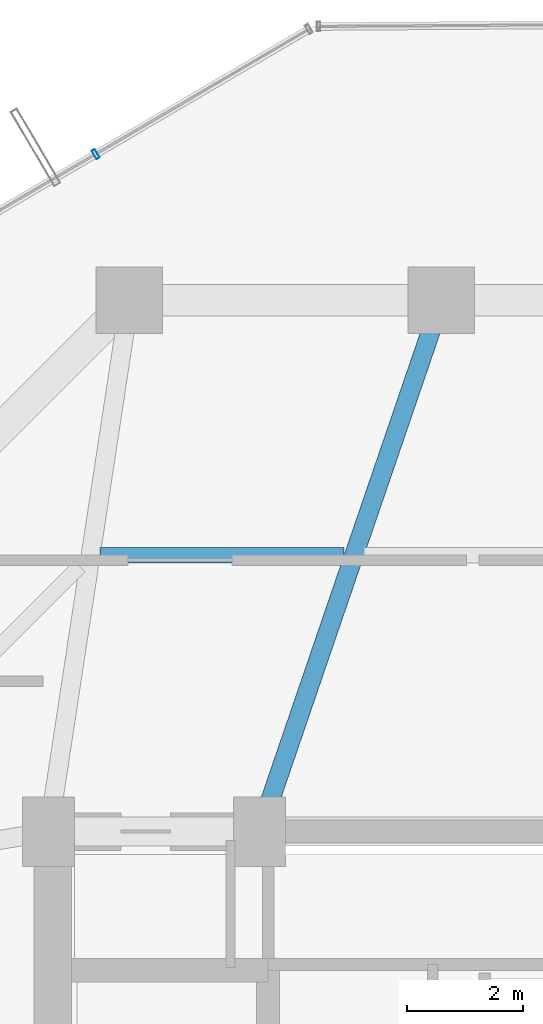
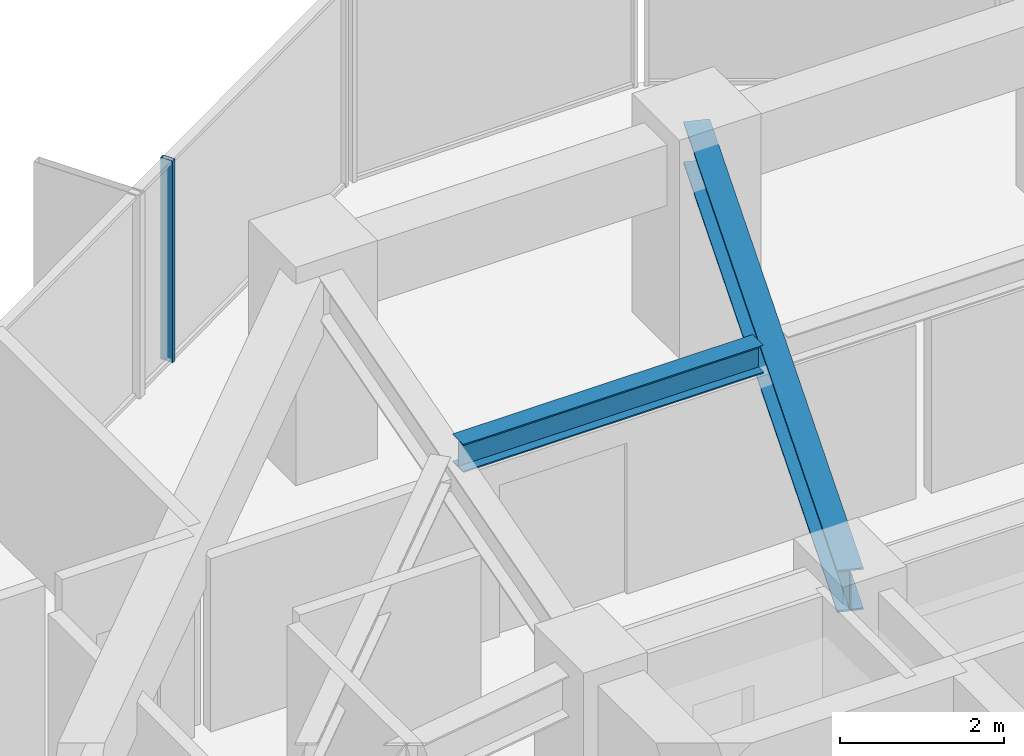
# One storey, part 19 of 30: 2 beams, 1 member, 1 element without a shape of its own.
"""IFC4 building model written with IfcOpenShell, lengths in metres."""

from ifc_helpers import new_model, si_unit, direction, frame, origin, origin_2d, place, context, subcontext, project, spatial, hollow_rectangle, i_section, extrude, source, transform, mapped, material, layer, layer_set, material_profile, profile_set, type_object, element, aggregate, save


model = new_model("IFC4")

# Units and contexts
model_context = context("Model", 3, precision=1e-05, world=origin(), true_north=direction((0.0, 1.0)))
body_context = subcontext(model_context, "Body", "Model", "MODEL_VIEW")
ifc_project = project(units=[si_unit("LENGTHUNIT", "METRE"), si_unit("AREAUNIT", "SQUARE_METRE"), si_unit("VOLUMEUNIT", "CUBIC_METRE"), si_unit("PLANEANGLEUNIT", "RADIAN"), si_unit("MASSUNIT", "GRAM", prefix="KILO")], contexts=[model_context])

# Site, building, storey
site_placement = place(None, origin())
site = spatial("IfcSite", under=ifc_project, at=site_placement, CompositionType="ELEMENT")
building_placement = place(site_placement, origin())
building = spatial("IfcBuilding", under=site, at=building_placement, Name="Veraguas Prism Commons", CompositionType="ELEMENT")
storey_placement = place(building_placement, frame((0.0, 0.0, 129.5)))
storey = spatial("IfcBuildingStorey", under=building, at=storey_placement, Name="L36", CompositionType="ELEMENT", Elevation=129.5)

# Beams
ifc_material_1 = material(Name="Steel ASTM A992 Grade 50", Category="steel")
ifc_material_profile_1 = material_profile(ifc_material_1, i_section(OverallWidth=0.260986328125, OverallDepth=0.419921875, WebThickness=0.01171875, FlangeThickness=0.019287109375, at=origin_2d()), Name="W410X114")
ifc_profile_set_1 = profile_set([ifc_material_profile_1], Name="Steel ASTM A992 Grade 50")
beam_type_1 = type_object("IfcBeamType", Name="Lower Floor Joist W410x114", PredefinedType="JOIST", material=ifc_profile_set_1)
beam_1_placement = place(storey_placement, frame((22.31689453125, 35.783935546875, 2.7900390625), z_axis=(-1.0, 0.0, 0.0), x_axis=(0.0, -1.0, 0.0)))
element("IfcBeam", 1, at=beam_1_placement, inside=storey, type_object=beam_type_1, Name="Composite Floor Joist L36-JS05", PredefinedType="JOIST", context=body_context, shape_type="SweptSolid", body=[
    extrude(i_section(OverallWidth=0.260986328125, OverallDepth=0.419921875, WebThickness=0.01171875, FlangeThickness=0.019287109375, at=origin_2d()), origin(), (0.0, 0.0, 1.0), 4.22509765625),
])
ifc_material_profile_2 = material_profile(ifc_material_1, i_section(OverallWidth=0.327880859375, OverallDepth=0.6220703125, WebThickness=0.015380859375, FlangeThickness=0.0244140625, at=origin_2d()), Name="W610X195")
ifc_profile_set_2 = profile_set([ifc_material_profile_2], Name="Steel ASTM A992 Grade 50")
beam_type_2 = type_object("IfcBeamType", Name="Zone 2 Radial Girder W610x195", PredefinedType="BEAM", material=ifc_profile_set_2)
beam_2_placement = place(storey_placement, frame((24.0, 40.199951171875, 2.68896484375), z_axis=(-0.323922482989, -0.946083624747, 0.0), x_axis=(0.946083624747, -0.323922482989, 0.0)))
element("IfcBeam", 2, at=beam_2_placement, inside=storey, type_object=beam_type_2, Name="Radial Floor Girder L36-RD05", PredefinedType="BEAM", context=body_context, shape_type="SweptSolid", body=[
    extrude(i_section(OverallWidth=0.327880859375, OverallDepth=0.6220703125, WebThickness=0.015380859375, FlangeThickness=0.0244140625, at=origin_2d()), origin(), (0.0, 0.0, 1.0), 9.724365234375),
])

# Curtain wall, member
ifc_material_2 = material(Name="Anodised aluminium EN AW-6063 T6", Category="aluminium")
ifc_layer = layer(ifc_material_2, 0.169921875, Name="Unitised Flush Curtain Wall Zone 2", Category="aluminium")
ifc_layer_set = layer_set([ifc_layer], Name="Anodised aluminium EN AW-6063 T6")
curtain_wall_type = type_object("IfcCurtainWallType", Name="Unitised Flush Curtain Wall Zone 2", PredefinedType="NOTDEFINED", material=ifc_layer_set)
curtain_wall_placement = place(storey_placement, origin())
curtain_wall = element("IfcCurtainWall", 3, at=curtain_wall_placement, inside=storey, type_object=curtain_wall_type, Name="Tower Facade Curtain Wall L36-F2", PredefinedType="NOTDEFINED")
ifc_material_profile_3 = material_profile(ifc_material_2, hollow_rectangle(XDim=0.06005859375, YDim=0.169921875, WallThickness=0.00390625, at=origin_2d()), Name="AL60X170X4")
ifc_profile_set_3 = profile_set([ifc_material_profile_3], Name="Anodised aluminium EN AW-6063 T6")
member_type = type_object("IfcMemberType", Name="Curtain Wall Mullion Lower AL 60x170x4", PredefinedType="MULLION", material=ifc_profile_set_3)
shared_shape = source(origin(), body_context, "Body", "SweptSolid", [
    extrude(hollow_rectangle(XDim=0.06005859375, YDim=0.169921875, WallThickness=0.00390625, at=origin_2d()), origin(), (0.0, 0.0, 1.0), 3.0),
])
member_placement = place(storey_placement, frame((18.015869140625, 42.7275390625, 0.0), z_axis=(0.0, 0.0, 1.0), x_axis=(-0.86268584238, -0.505740187604, 0.0)))
member = element("IfcMember", 4, at=member_placement, type_object=member_type, Name="CW-Z2 Mullion 2", PredefinedType="MULLION", context=body_context, shape_type="MappedRepresentation", body=[
    mapped(shared_shape, transform((0.0, 0.0, 0.0), scale=1.0)),
])
aggregate(curtain_wall, [member])

save(model, "model.ifc")
